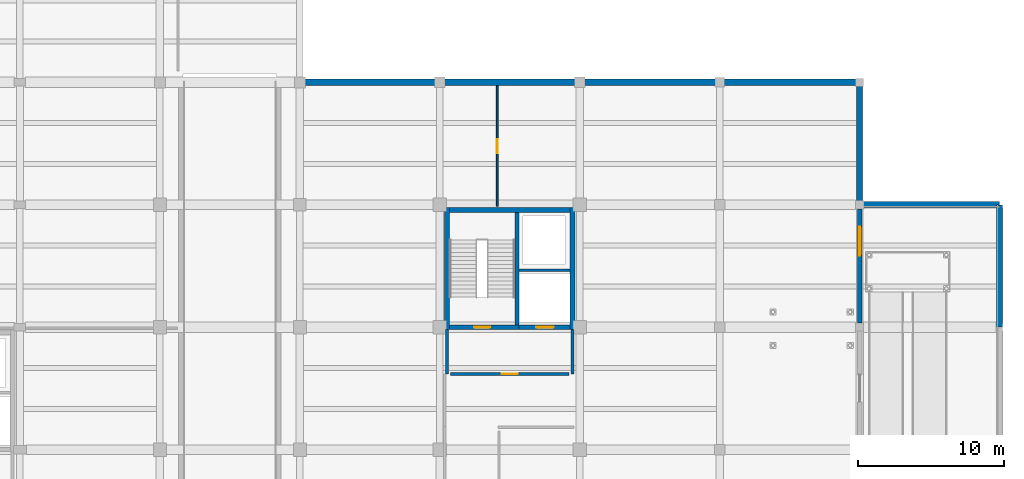
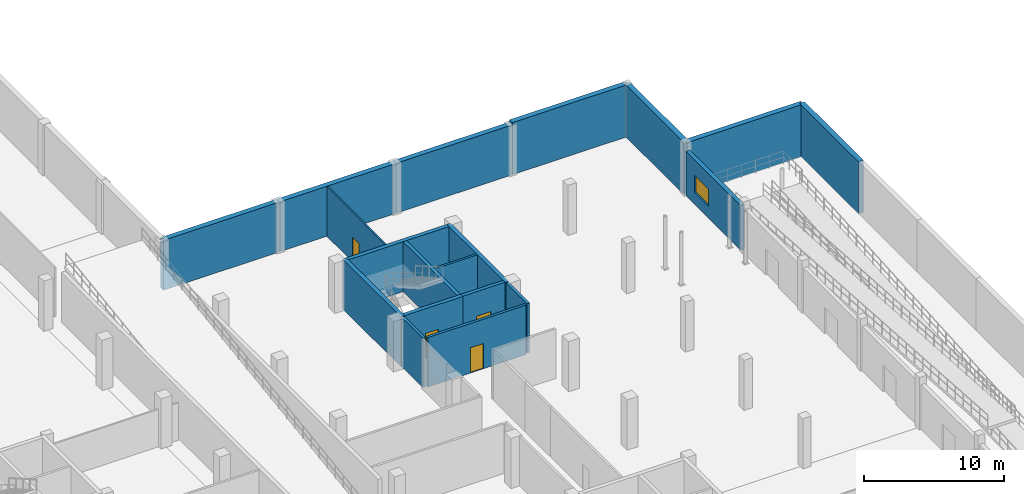
# One storey, part 24 of 30: 19 walls, 4 doors, 1 window, 5 openings.
"""IFC4 building model written with IfcOpenShell, lengths in metres."""

from ifc_helpers import new_model, si_unit, direction, frame, frame_2d, origin, place, context, subcontext, project, spatial, rectangle, extrude, material, layer, layer_set, type_object, element, fill, save


model = new_model("IFC4")

# Units and contexts
model_context = context("Model", 3, precision=1e-05, world=origin(), true_north=direction((0.0, 1.0)))
body_context = subcontext(model_context, "Body", "Model", "MODEL_VIEW")
ifc_project = project(units=[si_unit("LENGTHUNIT", "METRE"), si_unit("AREAUNIT", "SQUARE_METRE"), si_unit("VOLUMEUNIT", "CUBIC_METRE"), si_unit("PLANEANGLEUNIT", "RADIAN"), si_unit("MASSUNIT", "GRAM", prefix="KILO")], contexts=[model_context])

# Site, building, storey
site_placement = place(None, origin())
site = spatial("IfcSite", under=ifc_project, at=site_placement, CompositionType="ELEMENT")
building_placement = place(site_placement, origin())
building = spatial("IfcBuilding", under=site, at=building_placement, Name="Lornevale Opera House", CompositionType="ELEMENT")
storey_placement = place(building_placement, frame((0.0, 0.0, -4.800048828125)))
storey = spatial("IfcBuildingStorey", under=building, at=storey_placement, Name="B1", CompositionType="ELEMENT", Elevation=-4.800048828125)

# Wall, opening, window
ifc_material_1 = material(Name="Queenston Buff Limestone Ashlar Masonry (25 MPa)", Category="masonry")
ifc_layer_1 = layer(ifc_material_1, 0.324951171875)
ifc_layer_set_1 = layer_set([ifc_layer_1], Name="Queenston Buff Limestone Ashlar Masonry (25 MPa)")
wall_type_1 = type_object("IfcWallType", Name="Backstage Limestone Facade Wall 325", PredefinedType="SOLIDWALL", material=ifc_layer_set_1)
wall_1_placement = place(storey_placement, frame((163.199951171875, 75.300048828125, 0.0), z_axis=(0.0, 0.0, 1.0), x_axis=(0.0, -1.0, 0.0)))
wall_1 = element("IfcWall", 1, at=wall_1_placement, inside=storey, type_object=wall_type_1, Name="Backstage Limestone Facade Wall 325 WL-EXT-0134", PredefinedType="SOLIDWALL", context=body_context, shape_type="SweptSolid", body=[
    extrude(rectangle(XDim=7.824951171875, YDim=0.324951171875, at=frame_2d((3.91259765625, 0.0))), origin(), (0.0, 0.0, 1.0), 3.900146484375),
])
opening_1_placement = place(wall_1_placement, frame((1.19091796875, 0.0, 1.050048828125)))
opening_1 = element("IfcOpeningElement", 2, at=opening_1_placement, cuts=wall_1, Name="Opening WN-T11", PredefinedType="OPENING", context=body_context, shape_type="SweptSolid", body=[
    extrude(rectangle(XDim=2.0, YDim=1.5, at=frame_2d((1.0, 0.75))), frame((0.0, 0.17236328125, 0.0), z_axis=(0.0, -1.0, 0.0), x_axis=(1.0, 0.0, 0.0)), (0.0, 0.0, 1.0), 0.344970703125),
])
ifc_material_2 = material(Name="Triple Low-E Insulated Glazing", Category="glass")
ifc_layer_2 = layer(ifc_material_2, 0.06005859375)
ifc_layer_set_2 = layer_set([ifc_layer_2], Name="Triple Low-E Insulated Glazing")
window_type = type_object("IfcWindowType", Name="Workshop Operable Window 2000x1500", PartitioningType="NOTDEFINED", PredefinedType="WINDOW", material=ifc_layer_set_2)
window_placement = place(opening_1_placement, origin())
window = element("IfcWindow", 3, at=window_placement, inside=storey, type_object=window_type, Name="Workshop Operable Window 2000x1500 WN-0001", OverallHeight=1.5, OverallWidth=2.0, PartitioningType="SINGLE_PANEL", PredefinedType="WINDOW", context=body_context, shape_type="SweptSolid", body=[
    extrude(rectangle(XDim=2.0, YDim=1.5, at=frame_2d((1.0, 0.75))), frame((0.0, 0.030029296875, 0.0), z_axis=(0.0, -1.0, 0.0), x_axis=(1.0, 0.0, 0.0)), (0.0, 0.0, 1.0), 0.06005859375),
])
fill(opening_1, window)

# Walls
ifc_material_3 = material(Name="Concrete 40 MPa (CSA A23.1 C-1)", Category="concrete")
ifc_layer_3 = layer(ifc_material_3, 0.419921875)
ifc_layer_set_3 = layer_set([ifc_layer_3], Name="Concrete 40 MPa (CSA A23.1 C-1)")
wall_type_2 = type_object("IfcWallType", Name="Basement Retaining Wall 420", PredefinedType="USERDEFINED", material=ifc_layer_set_3)
wall_2_placement = place(storey_placement, frame((124.800048828125, 84.0, 0.0), z_axis=(0.0, 0.0, 1.0), x_axis=(1.0, 0.0, 0.0)))
element("IfcWall", 4, at=wall_2_placement, inside=storey, type_object=wall_type_2, Name="Basement Escarpment Plinth Wall WL-EXT-0111", ObjectType="RETAINING WALL", PredefinedType="USERDEFINED", context=body_context, shape_type="SweptSolid", body=[
    extrude(rectangle(XDim=9.599853515625, YDim=0.419921875, at=frame_2d((4.7998046875, 0.0))), origin(), (0.0, 0.0, 1.0), 4.360107421875),
])
for number, where, z_axis, x_axis, name in (
    (5, (134.39990234375, 84.0, 0.0), (0.0, 0.0, 1.0), (1.0, 0.0, 0.0), "Basement Escarpment Plinth Wall WL-EXT-0113"),
    (6, (144.0, 84.0, 0.0), (0.0, 0.0, 1.0), (1.0, 0.0, 0.0), "Basement Escarpment Plinth Wall WL-EXT-0116"),
):
    element("IfcWall", number, at=place(storey_placement, frame(where, z_axis=z_axis, x_axis=x_axis)), inside=storey, type_object=wall_type_2, Name=name, ObjectType="RETAINING WALL", PredefinedType="USERDEFINED", context=body_context, shape_type="SweptSolid", body=[
        extrude(rectangle(XDim=9.60009765625, YDim=0.419921875, at=frame_2d((4.800048828125, 0.0))), origin(), (0.0, 0.0, 1.0), 4.360107421875),
    ])
wall_3_placement = place(storey_placement, frame((153.60009765625, 84.0, 0.0), z_axis=(0.0, 0.0, 1.0), x_axis=(1.0, 0.0, 0.0)))
element("IfcWall", 7, at=wall_3_placement, inside=storey, type_object=wall_type_2, Name="Basement Escarpment Plinth Wall WL-EXT-0119", ObjectType="RETAINING WALL", PredefinedType="USERDEFINED", context=body_context, shape_type="SweptSolid", body=[
    extrude(rectangle(XDim=9.599853515625, YDim=0.419921875, at=frame_2d((4.7998046875, 0.0))), origin(), (0.0, 0.0, 1.0), 4.550048828125),
])
wall_4_placement = place(storey_placement, frame((163.199951171875, 84.0, 0.0), z_axis=(0.0, 0.0, 1.0), x_axis=(0.0, -1.0, 0.0)))
element("IfcWall", 8, at=wall_4_placement, inside=storey, type_object=wall_type_2, Name="Basement Escarpment Plinth Wall WL-EXT-0120", ObjectType="RETAINING WALL", PredefinedType="USERDEFINED", context=body_context, shape_type="SweptSolid", body=[
    extrude(rectangle(XDim=8.39990234375, YDim=0.419921875, at=frame_2d((4.199951171875, 0.0))), origin(), (0.0, 0.0, 1.0), 4.550048828125),
])
wall_5_placement = place(storey_placement, frame((163.199951171875, 75.60009765625, 0.0), z_axis=(0.0, 0.0, 1.0), x_axis=(1.0, 0.0, 0.0)))
element("IfcWall", 9, at=wall_5_placement, inside=storey, type_object=wall_type_2, Name="Basement Escarpment Plinth Wall WL-EXT-0127", ObjectType="RETAINING WALL", PredefinedType="USERDEFINED", context=body_context, shape_type="SweptSolid", body=[
    extrude(rectangle(XDim=9.60009765625, YDim=0.419921875, at=frame_2d((4.800048828125, 0.0))), origin(), (0.0, 0.0, 1.0), 4.550048828125),
])
wall_6_placement = place(storey_placement, frame((172.800048828125, 75.60009765625, 0.0), z_axis=(0.0, 0.0, 1.0), x_axis=(0.0, -1.0, 0.0)))
element("IfcWall", 10, at=wall_6_placement, inside=storey, type_object=wall_type_2, Name="Basement Escarpment Plinth Wall WL-EXT-0128", ObjectType="RETAINING WALL", PredefinedType="USERDEFINED", context=body_context, shape_type="SweptSolid", body=[
    extrude(rectangle(XDim=8.400146484375, YDim=0.419921875, at=frame_2d((4.2001953125, 0.0))), origin(), (0.0, 0.0, 1.0), 4.550048828125),
])

# Wall, opening, door
ifc_layer_4 = layer(ifc_material_3, 0.320068359375)
ifc_layer_set_4 = layer_set([ifc_layer_4], Name="Concrete 40 MPa (CSA A23.1 C-1)")
wall_type_3 = type_object("IfcWallType", Name="Core Shear Wall 320", PredefinedType="SHEAR", material=ifc_layer_set_4)
wall_7_placement = place(storey_placement, frame((135.06005859375, 67.199951171875, 0.0), z_axis=(0.0, 0.0, 1.0), x_axis=(1.0, 0.0, 0.0)))
wall_7 = element("IfcWall", 11, at=wall_7_placement, inside=storey, type_object=wall_type_3, Name="Backstage Firefighter Core East Core Shear Wall 320 WL-COR-0268", PredefinedType="SHEAR", context=body_context, shape_type="SweptSolid", body=[
    extrude(rectangle(XDim=4.780029296875, YDim=0.320068359375, at=frame_2d((2.39013671875, 0.0))), origin(), (0.0, 0.0, 1.0), 4.360107421875),
])
opening_2_placement = place(wall_7_placement, frame((1.68994140625, 0.0, 0.0)))
opening_2 = element("IfcOpeningElement", 12, at=opening_2_placement, cuts=wall_7, Name="Opening DR-T10", PredefinedType="OPENING", context=body_context, shape_type="SweptSolid", body=[
    extrude(rectangle(XDim=1.10009765625, YDim=2.199951171875, at=frame_2d((0.550048828125, 1.10009765625))), frame((0.0, 0.169921875, 0.0), z_axis=(0.0, -1.0, 0.0), x_axis=(1.0, 0.0, 0.0)), (0.0, 0.0, 1.0), 0.340087890625),
])
ifc_material_4 = material(Name="Painted Hollow Metal Door Steel", Category="steel")
ifc_layer_5 = layer(ifc_material_4, 2.199951171875)
ifc_layer_set_5 = layer_set([ifc_layer_5], Name="Painted Hollow Metal Door Steel")
door_type_1 = type_object("IfcDoorType", Name="Protected Exit Stair Door L 1100x2200", OperationType="NOTDEFINED", PredefinedType="DOOR", material=ifc_layer_set_5)
door_1_placement = place(opening_2_placement, origin())
door_1 = element("IfcDoor", 13, at=door_1_placement, inside=storey, type_object=door_type_1, Name="C7 Stair Door B1", OperationType="SINGLE_SWING_LEFT", OverallHeight=2.199951171875, OverallWidth=1.10009765625, PredefinedType="DOOR", context=body_context, shape_type="SweptSolid", body=[
    extrude(rectangle(XDim=1.10009765625, YDim=2.199951171875, at=frame_2d((0.550048828125, 1.10009765625))), frame((0.0, 0.02490234375, 0.0), z_axis=(0.0, -1.0, 0.0), x_axis=(1.0, 0.0, 0.0)), (0.0, 0.0, 1.0), 0.050048828125),
])
fill(opening_2, door_1)

# Walls
wall_8_placement = place(storey_placement, frame((143.340087890625, 75.239990234375, 0.0), z_axis=(0.0, 0.0, 1.0), x_axis=(-1.0, 0.0, 0.0)))
element("IfcWall", 14, at=wall_8_placement, inside=storey, type_object=wall_type_3, Name="Backstage Firefighter Core East Core Shear Wall 320 WL-COR-0270", PredefinedType="SHEAR", context=body_context, shape_type="SweptSolid", body=[
    extrude(rectangle(XDim=8.280029296875, YDim=0.320068359375, at=frame_2d((4.14013671875, 0.0))), origin(), (0.0, 0.0, 1.0), 4.360107421875),
])
for number, where, z_axis, x_axis, name in (
    (15, (134.89990234375, 75.39990234375, 0.0), (0.0, 0.0, 1.0), (0.0, -1.0, 0.0), "Backstage Firefighter Core East Core Shear Wall 320 WL-COR-0271"),
    (16, (143.5, 67.0400390625, 0.0), (0.0, 0.0, 1.0), (0.0, 1.0, 0.0), "Backstage Firefighter Core East Core Shear Wall 320 WL-COR-0272"),
):
    element("IfcWall", number, at=place(storey_placement, frame(where, z_axis=z_axis, x_axis=x_axis)), inside=storey, type_object=wall_type_3, Name=name, PredefinedType="SHEAR", context=body_context, shape_type="SweptSolid", body=[
        extrude(rectangle(XDim=8.35986328125, YDim=0.320068359375, at=frame_2d((4.179931640625, 0.0))), origin(), (0.0, 0.0, 1.0), 4.360107421875),
    ])

# Wall, opening, door
ifc_material_5 = material(Name="Acoustic Mineral-Core Gypsum Partition", Category="gypsum")
ifc_layer_6 = layer(ifc_material_5, 0.125)
ifc_layer_set_6 = layer_set([ifc_layer_6], Name="Acoustic Mineral-Core Gypsum Partition")
wall_type_4 = type_object("IfcWallType", Name="Dressing Suite Partition 125", PredefinedType="PARTITIONING", material=ifc_layer_set_6)
wall_9_placement = place(storey_placement, frame((138.340087890625, 75.489990234375, 0.0), z_axis=(0.0, 0.0, 1.0), x_axis=(0.0, 1.0, 0.0)))
wall_9 = element("IfcWall", 17, at=wall_9_placement, inside=storey, type_object=wall_type_4, Name="B1 Partition WL-INT-0659", PredefinedType="PARTITIONING", context=body_context, shape_type="SweptSolid", body=[
    extrude(rectangle(XDim=8.260009765625, YDim=0.125, at=frame_2d((4.1298828125, 0.0))), origin(), (0.0, 0.0, 1.0), 4.330078125),
])
opening_3_placement = place(wall_9_placement, frame((3.655029296875, 0.0, 0.0)))
opening_3 = element("IfcOpeningElement", 18, at=opening_3_placement, cuts=wall_9, Name="Opening DR-T20", PredefinedType="OPENING", context=body_context, shape_type="SweptSolid", body=[
    extrude(rectangle(XDim=0.949951171875, YDim=2.14990234375, at=frame_2d((0.47509765625, 1.074951171875))), frame((0.0, 0.072509765625, 0.0), z_axis=(0.0, -1.0, 0.0), x_axis=(1.0, 0.0, 0.0)), (0.0, 0.0, 1.0), 0.14501953125),
])
ifc_material_6 = material(Name="White Oak Acoustic Panelling", Category="wood")
ifc_layer_7 = layer(ifc_material_6, 2.14990234375)
ifc_layer_set_7 = layer_set([ifc_layer_7], Name="White Oak Acoustic Panelling")
door_type_2 = type_object("IfcDoorType", Name="Soloist Dressing Door R 950x2150", OperationType="NOTDEFINED", PredefinedType="DOOR", material=ifc_layer_set_7)
door_2_placement = place(opening_3_placement, origin())
door_2 = element("IfcDoor", 19, at=door_2_placement, inside=storey, type_object=door_type_2, Name="Wardrobe Laundry & Costume Store Door", OperationType="SINGLE_SWING_RIGHT", OverallHeight=2.14990234375, OverallWidth=0.949951171875, PredefinedType="DOOR", context=body_context, shape_type="SweptSolid", body=[
    extrude(rectangle(XDim=0.949951171875, YDim=2.14990234375, at=frame_2d((0.47509765625, 1.074951171875))), frame((0.0, 0.02490234375, 0.0), z_axis=(0.0, -1.0, 0.0), x_axis=(1.0, 0.0, 0.0)), (0.0, 0.0, 1.0), 0.050048828125),
])
fill(opening_3, door_2)

ifc_layer_8 = layer(ifc_material_3, 0.280029296875)
ifc_layer_set_8 = layer_set([ifc_layer_8], Name="Concrete 40 MPa (CSA A23.1 C-1)")
wall_type_5 = type_object("IfcWallType", Name="Elevator Shaft Wall 280", PredefinedType="SHEAR", material=ifc_layer_set_8)
wall_10_placement = place(storey_placement, frame((139.840087890625, 67.199951171875, 0.0), z_axis=(0.0, 0.0, 1.0), x_axis=(1.0, 0.0, 0.0)))
wall_10 = element("IfcWall", 20, at=wall_10_placement, inside=storey, type_object=wall_type_5, Name="Backstage Firefighter Core East Elevator Shaft Wall 280 WL-COR-0269", PredefinedType="SHEAR", context=body_context, shape_type="SweptSolid", body=[
    extrude(rectangle(XDim=3.5, YDim=0.280029296875, at=frame_2d((1.75, 0.0))), origin(), (0.0, 0.0, 1.0), 4.360107421875),
])
opening_4_placement = place(wall_10_placement, frame((1.159912109375, 0.0, 0.0)))
opening_4 = element("IfcOpeningElement", 21, at=opening_4_placement, cuts=wall_10, Name="Opening DR-T26", PredefinedType="OPENING", context=body_context, shape_type="SweptSolid", body=[
    extrude(rectangle(XDim=1.199951171875, YDim=2.199951171875, at=frame_2d((0.60009765625, 1.10009765625))), frame((0.0, 0.14990234375, 0.0), z_axis=(0.0, -1.0, 0.0), x_axis=(1.0, 0.0, 0.0)), (0.0, 0.0, 1.0), 0.300048828125),
])
ifc_layer_9 = layer(ifc_material_4, 2.199951171875)
ifc_layer_set_9 = layer_set([ifc_layer_9], Name="Painted Hollow Metal Door Steel")
door_type_3 = type_object("IfcDoorType", Name="Firefighter Lift Landing Door 1200x2200", OperationType="NOTDEFINED", PredefinedType="DOOR", material=ifc_layer_set_9)
door_3_placement = place(opening_4_placement, origin())
door_3 = element("IfcDoor", 22, at=door_3_placement, inside=storey, type_object=door_type_3, Name="L-FF2 Landing Door B1", OperationType="SLIDING_TO_RIGHT", OverallHeight=2.199951171875, OverallWidth=1.199951171875, PredefinedType="DOOR", context=body_context, shape_type="SweptSolid", body=[
    extrude(rectangle(XDim=1.199951171875, YDim=2.199951171875, at=frame_2d((0.60009765625, 1.10009765625))), frame((0.0, 0.02490234375, 0.0), z_axis=(0.0, -1.0, 0.0), x_axis=(1.0, 0.0, 0.0)), (0.0, 0.0, 1.0), 0.050048828125),
])
fill(opening_4, door_3)

# Walls
wall_11_placement = place(storey_placement, frame((139.699951171875, 67.360107421875, 0.0), z_axis=(0.0, 0.0, 1.0), x_axis=(0.0, 1.0, 0.0)))
element("IfcWall", 23, at=wall_11_placement, inside=storey, type_object=wall_type_5, Name="Backstage Firefighter Core East Elevator Shaft Wall 280 WL-COR-0273", PredefinedType="SHEAR", context=body_context, shape_type="SweptSolid", body=[
    extrude(rectangle(XDim=7.719970703125, YDim=0.280029296875, at=frame_2d((3.85986328125, 0.0))), origin(), (0.0, 0.0, 1.0), 4.360107421875),
])
ifc_material_7 = material(Name="Concrete 35 MPa (CSA A23.1 N)", Category="concrete")
ifc_layer_10 = layer(ifc_material_7, 0.219970703125)
ifc_layer_set_10 = layer_set([ifc_layer_10], Name="Concrete 35 MPa (CSA A23.1 N)")
wall_type_6 = type_object("IfcWallType", Name="Firefighter Vestibule Wall 220", PredefinedType="SOLIDWALL", material=ifc_layer_set_10)
for number, where, z_axis, x_axis, name in (
    (24, (134.89990234375, 64.0, 0.0), (0.0, 0.0, 1.0), (0.0, 1.0, 0.0), "C7 Vestibule West Wall WL-INT-0385"),
    (25, (143.5, 64.0, 0.0), (0.0, 0.0, 1.0), (0.0, 1.0, 0.0), "C7 Vestibule East Wall WL-INT-0386"),
):
    element("IfcWall", number, at=place(storey_placement, frame(where, z_axis=z_axis, x_axis=x_axis)), inside=storey, type_object=wall_type_6, Name=name, PredefinedType="SOLIDWALL", context=body_context, shape_type="SweptSolid", body=[
        extrude(rectangle(XDim=3.0400390625, YDim=0.219970703125, at=frame_2d((1.52001953125, 0.0))), origin(), (0.0, 0.0, 1.0), 4.320068359375),
    ])

# Wall, opening, door
wall_12_placement = place(storey_placement, frame((135.14990234375, 64.0, 0.0), z_axis=(0.0, 0.0, 1.0), x_axis=(1.0, 0.0, 0.0)))
wall_12 = element("IfcWall", 26, at=wall_12_placement, inside=storey, type_object=wall_type_6, Name="C7 Vestibule South Wall WL-INT-0387", PredefinedType="SOLIDWALL", context=body_context, shape_type="SweptSolid", body=[
    extrude(rectangle(XDim=8.10009765625, YDim=0.219970703125, at=frame_2d((4.050048828125, 0.0))), origin(), (0.0, 0.0, 1.0), 4.320068359375),
])
opening_5_placement = place(wall_12_placement, frame((3.5, 0.0, 0.0)))
opening_5 = element("IfcOpeningElement", 27, at=opening_5_placement, cuts=wall_12, Name="Opening DR-T13", PredefinedType="OPENING", context=body_context, shape_type="SweptSolid", body=[
    extrude(rectangle(XDim=1.10009765625, YDim=2.199951171875, at=frame_2d((0.550048828125, 1.10009765625))), frame((0.0, 0.119873046875, 0.0), z_axis=(0.0, -1.0, 0.0), x_axis=(1.0, 0.0, 0.0)), (0.0, 0.0, 1.0), 0.239990234375),
])
ifc_layer_11 = layer(ifc_material_4, 2.199951171875)
ifc_layer_set_11 = layer_set([ifc_layer_11], Name="Painted Hollow Metal Door Steel")
door_type_4 = type_object("IfcDoorType", Name="Firefighter Vestibule Door 1100x2200", OperationType="NOTDEFINED", PredefinedType="DOOR", material=ifc_layer_set_11)
door_4_placement = place(opening_5_placement, origin())
door_4 = element("IfcDoor", 28, at=door_4_placement, inside=storey, type_object=door_type_4, Name="C7 Firefighter Vestibule Door B1", OperationType="SINGLE_SWING_LEFT", OverallHeight=2.199951171875, OverallWidth=1.10009765625, PredefinedType="DOOR", context=body_context, shape_type="SweptSolid", body=[
    extrude(rectangle(XDim=1.10009765625, YDim=2.199951171875, at=frame_2d((0.550048828125, 1.10009765625))), frame((0.0, 0.02490234375, 0.0), z_axis=(0.0, -1.0, 0.0), x_axis=(1.0, 0.0, 0.0)), (0.0, 0.0, 1.0), 0.050048828125),
])
fill(opening_5, door_4)

# Wall
ifc_material_8 = material(Name="Moisture-Resistant Ceramic & Gypsum Partition", Category="gypsum")
ifc_layer_12 = layer(ifc_material_8, 0.179931640625)
ifc_layer_set_12 = layer_set([ifc_layer_12], Name="Moisture-Resistant Ceramic & Gypsum Partition")
wall_type_7 = type_object("IfcWallType", Name="Riser Shaft Wall 180", PredefinedType="SOLIDWALL", material=ifc_layer_set_12)
wall_13_placement = place(storey_placement, frame((139.840087890625, 71.10009765625, 0.0), z_axis=(0.0, 0.0, 1.0), x_axis=(1.0, 0.0, 0.0)))
element("IfcWall", 29, at=wall_13_placement, inside=storey, type_object=wall_type_7, Name="Backstage Firefighter Core East Riser Shaft Wall 180 WL-COR-0274", PredefinedType="SOLIDWALL", context=body_context, shape_type="SweptSolid", body=[
    extrude(rectangle(XDim=3.5, YDim=0.179931640625, at=frame_2d((1.75, 0.0))), origin(), (0.0, 0.0, 1.0), 4.360107421875),
])

save(model, "model.ifc")
